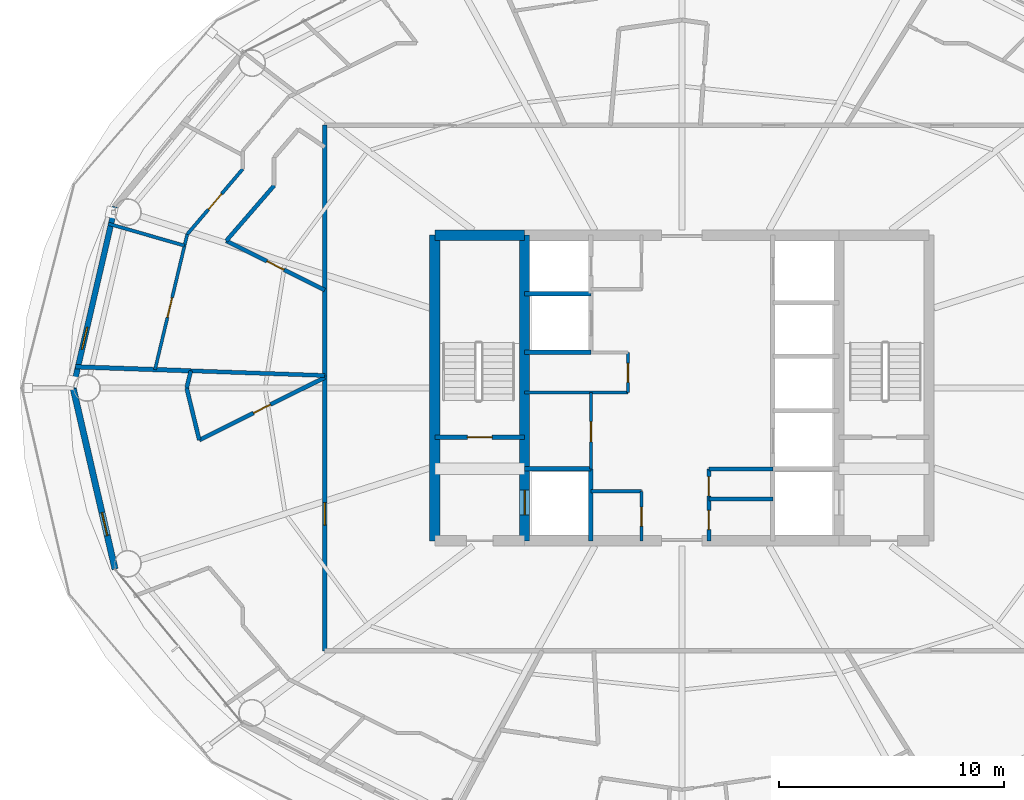
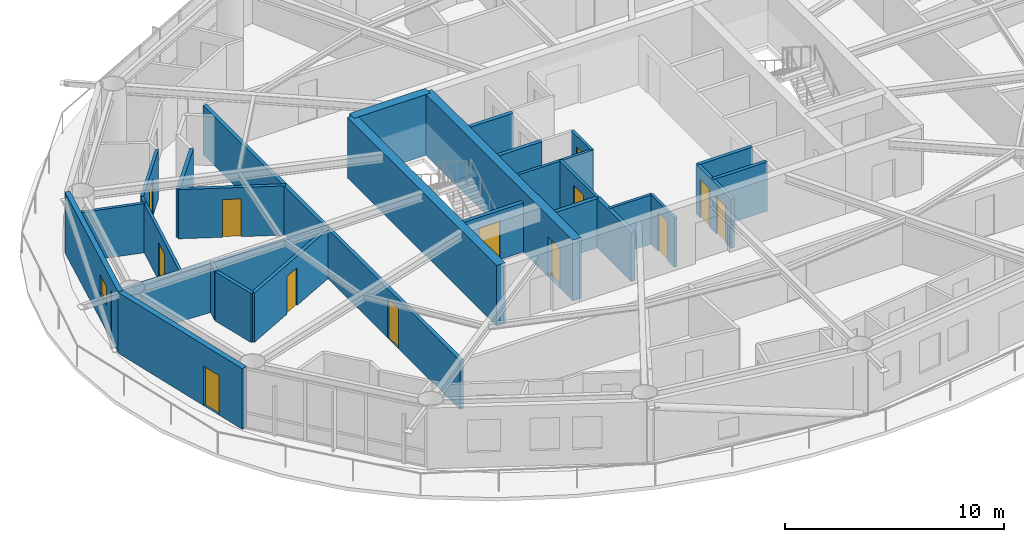
# One storey, part 20 of 27: 30 walls, 13 doors, 1 window, 14 openings.
"""IFC4 building model written with IfcOpenShell, lengths in metres."""

import ifcopenshell
import ifcopenshell.guid

model = None  # the IFC model being written
_history = None  # IfcOwnerHistory: only IFC2X3 demands one
_inside = {}  # id of a spatial element -> (the spatial element, [elements in it])
_under = {}  # id of a project, library or spatial element -> (it, [spatial elements below it])
_declared = {}  # id of a project -> (the project, [libraries it declares])
_typed = {}  # id of a type object -> (the type object, [elements of that type])
_made_of = {}  # id of a material, layer set ... -> (it, [elements and type objects made of it])


def new_model(schema):
    """Start an empty IFC model of exactly this schema.

    Asked for "IFC4X3", IfcOpenShell would pick the latest addendum, in which some entities
    have other attributes; the version numbers below select the first issue.
    IFC2X3 requires an IfcOwnerHistory on every rooted entity: one is made here for all.
    """
    global model, _history
    if schema == "IFC4X3":
        model = ifcopenshell.file(schema_version=(4, 3, 0, 0))
    else:
        model = ifcopenshell.file(schema=schema)
    _inside.clear()
    _under.clear()
    _declared.clear()
    _typed.clear()
    _made_of.clear()
    _history = None
    if model.schema == "IFC2X3":
        org = make("IfcOrganization", Name="unknown")
        user = make(
            "IfcPersonAndOrganization",
            ThePerson=make("IfcPerson", FamilyName="unknown"),
            TheOrganization=org,
        )
        app = make(
            "IfcApplication",
            ApplicationDeveloper=org,
            Version="unknown",
            ApplicationFullName="unknown",
            ApplicationIdentifier="unknown",
        )
        _history = make(
            "IfcOwnerHistory",
            OwningUser=user,
            OwningApplication=app,
            ChangeAction="ADDED",
            CreationDate=0,
        )
    return model


def make(cls, **values):
    """One entity of the class cls with the attributes given. An attribute that is None is left unset."""
    return model.create_entity(
        cls, **{name: value for name, value in values.items() if value is not None}
    )


def rooted(cls, **values):
    """An entity with a GlobalId (a new one), such as an element, a storey or a relation."""
    return make(cls, GlobalId=ifcopenshell.guid.new(), OwnerHistory=_history, **values)


def si_unit(unit_type, name, prefix=None):
    """IfcSIUnit, for example si_unit("LENGTHUNIT", "METRE", prefix="MILLI")."""
    return make("IfcSIUnit", UnitType=unit_type, Prefix=prefix, Name=name)


def assignment(units):
    """IfcUnitAssignment: the units of a project."""
    return None if units is None else make("IfcUnitAssignment", Units=units)


def point(xyz):
    """IfcCartesianPoint."""
    return None if xyz is None else make("IfcCartesianPoint", Coordinates=xyz)


def direction(xyz):
    """IfcDirection."""
    return None if xyz is None else make("IfcDirection", DirectionRatios=xyz)


def frame(location, z_axis=None, x_axis=None):
    """IfcAxis2Placement3D, a coordinate frame: its origin and axes. An axis left out is left unset."""
    return make(
        "IfcAxis2Placement3D",
        Location=point(location),
        Axis=direction(z_axis),
        RefDirection=direction(x_axis),
    )


def frame_2d(location, x_axis=None):
    """IfcAxis2Placement2D, a coordinate frame in the plane: its origin and x axis."""
    return make(
        "IfcAxis2Placement2D", Location=point(location), RefDirection=direction(x_axis)
    )


def origin():
    """The frame at (0, 0, 0) with its axes left unset."""
    return frame((0.0, 0.0, 0.0))


def place(relative_to, where):
    """IfcLocalPlacement: puts the frame where relative to a parent placement (None: the world)."""
    return make(
        "IfcLocalPlacement", PlacementRelTo=relative_to, RelativePlacement=where
    )


def context(
    kind, dimensions, precision=None, world=None, true_north=None, identifier=None
):
    """IfcGeometricRepresentationContext, for example the 3D "Model" context."""
    return make(
        "IfcGeometricRepresentationContext",
        ContextIdentifier=identifier,
        ContextType=kind,
        CoordinateSpaceDimension=dimensions,
        Precision=precision,
        WorldCoordinateSystem=world,
        TrueNorth=true_north,
    )


def subcontext(parent, identifier, kind, view, scale=None):
    """IfcGeometricRepresentationSubContext, for example "Body" below "Model"."""
    return make(
        "IfcGeometricRepresentationSubContext",
        ContextIdentifier=identifier,
        ContextType=kind,
        ParentContext=parent,
        TargetScale=scale,
        TargetView=view,
    )


def project(units=None, contexts=None):
    """IfcProject with its units and contexts."""
    return rooted(
        "IfcProject",
        Name="project",
        RepresentationContexts=contexts,
        UnitsInContext=assignment(units),
    )


def spatial(cls, under=None, at=None, **own):
    """A site, building, storey or space (cls), placed at a placement, below another one or the project."""
    s = rooted(cls, ObjectPlacement=at, **own)
    if under is not None:
        _under.setdefault(under.id(), (under, []))[1].append(s)
    return s


def profile(cls, at=None, kind="AREA", **sizes):
    """A parametric profile (cls). Its sizes go by their IFC names, for example OverallWidth=200.0."""
    return make(cls, ProfileType=kind, Position=at, **sizes)


def rectangle(**sizes):
    """IfcRectangleProfileDef."""
    return profile("IfcRectangleProfileDef", **sizes)


def extrude(swept, where, along, depth):
    """IfcExtrudedAreaSolid: the profile swept, set in the frame where, extruded along a direction by depth."""
    return make(
        "IfcExtrudedAreaSolid",
        SweptArea=swept,
        Position=where,
        ExtrudedDirection=direction(along),
        Depth=depth,
    )


def shape(context_of_items, identifier, shape_type, items):
    """IfcShapeRepresentation: the items that make up one representation, for example the "Body"."""
    return make(
        "IfcShapeRepresentation",
        ContextOfItems=context_of_items,
        RepresentationIdentifier=identifier,
        RepresentationType=shape_type,
        Items=items,
    )


def material(Name=None, Category=None):
    """IfcMaterial."""
    return make("IfcMaterial", Name=Name, Category=Category)


def layer(
    of_material, thickness, ventilated=None, Name=None, Category=None, Priority=None
):
    """IfcMaterialLayer: one layer of a wall or slab, of a material (None: an air gap)."""
    return make(
        "IfcMaterialLayer",
        Material=of_material,
        LayerThickness=thickness,
        IsVentilated=ventilated,
        Name=Name,
        Category=Category,
        Priority=Priority,
    )


def layer_set(layers, Name=None):
    """IfcMaterialLayerSet."""
    return make("IfcMaterialLayerSet", MaterialLayers=layers, LayerSetName=Name)


def made_of(thing, what):
    """Note that an element or type object is made of a material, layer set ...; save() writes the relation."""
    if what is not None:
        _made_of.setdefault(what.id(), (what, []))[1].append(thing)
    return thing


def type_object(cls, material=None, **own):
    """A type object (cls), such as IfcWallType, which elements share."""
    return made_of(rooted(cls, **own), material)


def element(
    cls,
    number,
    at=None,
    inside=None,
    cuts=None,
    type_object=None,
    material=None,
    context=None,
    identifier="Body",
    shape_type=None,
    held_by="IfcProductDefinitionShape",
    body=None,
    shapes=None,
    **own,
):
    """One element of the class cls, such as IfcWall. Its Tag is "e" and its number.

    at: its placement. inside: the storey or other place that contains it. cuts: it is an
    opening in that element (IfcRelVoidsElement). A single representation is given by context,
    identifier, shape_type and body (its items); several are given by shapes. held_by: the class
    of the entity that holds the representations. save() writes the other relations.
    """
    e = rooted(cls, Tag="e%d" % number, ObjectPlacement=at, **own)
    if body is not None:
        shapes = [shape(context, identifier, shape_type, body)]
    if shapes is not None:
        e.Representation = make(held_by, Representations=shapes)
    if inside is not None:
        _inside.setdefault(inside.id(), (inside, []))[1].append(e)
    if cuts is not None:
        rooted(
            "IfcRelVoidsElement", RelatingBuildingElement=cuts, RelatedOpeningElement=e
        )
    if type_object is not None:
        _typed.setdefault(type_object.id(), (type_object, []))[1].append(e)
    return made_of(e, material)


def fill(opening, filler):
    """IfcRelFillsElement: the door or window that sits in an opening."""
    return rooted(
        "IfcRelFillsElement",
        RelatingOpeningElement=opening,
        RelatedBuildingElement=filler,
    )


def aggregate(whole, parts):
    """IfcRelAggregates: a whole, such as a stair, and the parts it consists of."""
    return rooted("IfcRelAggregates", RelatingObject=whole, RelatedObjects=parts)


def save(model, path):
    """Write the relations noted so far, then the file.

    IfcRelAggregates (storeys below a building ...), IfcRelContainedInSpatialStructure (elements
    in a storey), IfcRelDefinesByType, IfcRelAssociatesMaterial and IfcRelDeclares: one each for
    every whole, place, type object, material and project.
    """
    for whole, parts in _under.values():
        aggregate(whole, parts)
    for where, things in _inside.values():
        rooted(
            "IfcRelContainedInSpatialStructure",
            RelatedElements=things,
            RelatingStructure=where,
        )
    for kind, things in _typed.values():
        rooted("IfcRelDefinesByType", RelatedObjects=things, RelatingType=kind)
    for what, things in _made_of.values():
        rooted("IfcRelAssociatesMaterial", RelatedObjects=things, RelatingMaterial=what)
    for by, libraries in _declared.values():
        rooted("IfcRelDeclares", RelatingContext=by, RelatedDefinitions=libraries)
    model.write(path)


model = new_model("IFC4")

# Units and contexts
model_context = context("Model", 3, precision=1e-05, world=origin(), true_north=direction((0.0, 1.0)))
body_context = subcontext(model_context, "Body", "Model", "MODEL_VIEW")
ifc_project = project(units=[si_unit("LENGTHUNIT", "METRE"), si_unit("AREAUNIT", "SQUARE_METRE"), si_unit("VOLUMEUNIT", "CUBIC_METRE"), si_unit("PLANEANGLEUNIT", "RADIAN"), si_unit("MASSUNIT", "GRAM", prefix="KILO")], contexts=[model_context])

# Site, building, storey
site_placement = place(None, origin())
site = spatial("IfcSite", under=ifc_project, at=site_placement, CompositionType="ELEMENT")
building_placement = place(site_placement, origin())
building = spatial("IfcBuilding", under=site, at=building_placement, Name="Sarneth Arch Tower", CompositionType="ELEMENT")
storey_placement = place(building_placement, frame((0.0, 0.0, 193.800048828125)))
storey = spatial("IfcBuildingStorey", under=building, at=storey_placement, Name="L49", CompositionType="ELEMENT", Elevation=193.800048828125)

# Walls
ifc_material_1 = material(Name="Concrete C50/60", Category="concrete")
ifc_layer_1 = layer(ifc_material_1, 0.449951171875)
ifc_layer_set_1 = layer_set([ifc_layer_1], Name="Concrete C50/60")
wall_type_1 = type_object("IfcWallType", Name="WALL-CORE-450", PredefinedType="SHEAR", material=ifc_layer_set_1)
wall_1_placement = place(storey_placement, frame((37.0, 48.800048828125, 0.0), z_axis=(0.0, 0.0, 1.0), x_axis=(1.0, 0.0, 0.0)))
element("IfcWall", 1, at=wall_1_placement, inside=storey, type_object=wall_type_1, Name="L49 Core shear wall N-W", PredefinedType="SHEAR", context=body_context, shape_type="SweptSolid", body=[
    extrude(rectangle(XDim=4.0, YDim=0.449951171875, at=frame_2d((2.0, 0.0))), origin(), (0.0, 0.0, 1.0), 3.3798828125),
])
wall_2_placement = place(storey_placement, frame((37.0, 35.199951171875, 0.0), z_axis=(0.0, 0.0, 1.0), x_axis=(0.0, 1.0, 0.0)))
element("IfcWall", 2, at=wall_2_placement, inside=storey, type_object=wall_type_1, Name="L49 Core shear wall W", PredefinedType="SHEAR", context=body_context, shape_type="SweptSolid", body=[
    extrude(rectangle(XDim=13.60009765625, YDim=0.449951171875, at=frame_2d((6.800048828125, 0.0))), origin(), (0.0, 0.0, 1.0), 3.3798828125),
])

# Wall, opening, door
wall_3_placement = place(storey_placement, frame((41.0, 35.199951171875, 0.0), z_axis=(0.0, 0.0, 1.0), x_axis=(0.0, 1.0, 0.0)))
wall_3 = element("IfcWall", 3, at=wall_3_placement, inside=storey, type_object=wall_type_1, Name="L49 Core shear wall WEB-W", PredefinedType="SHEAR", context=body_context, shape_type="SweptSolid", body=[
    extrude(rectangle(XDim=13.60009765625, YDim=0.449951171875, at=frame_2d((6.800048828125, 0.0))), origin(), (0.0, 0.0, 1.0), 3.3798828125),
])
opening_1_placement = place(wall_3_placement, frame((1.14990234375, 0.0, 0.0)))
opening_1 = element("IfcOpeningElement", 4, at=opening_1_placement, cuts=wall_3, Name="Opening LD-1", PredefinedType="OPENING", context=body_context, shape_type="SweptSolid", body=[
    extrude(rectangle(XDim=1.10009765625, YDim=2.199951171875, at=frame_2d((0.550048828125, 1.10009765625))), frame((0.0, 0.23486328125, 0.0), z_axis=(0.0, -1.0, 0.0), x_axis=(1.0, 0.0, 0.0)), (0.0, 0.0, 1.0), 0.469970703125),
])
ifc_material_2 = material(Name="Brushed Stainless Steel 304 lift landing door", Category="steel")
door_type_1 = type_object("IfcDoorType", Name="DR-LIFT-SLIDE-1100", OperationType="SLIDING_TO_LEFT", PredefinedType="DOOR", material=ifc_material_2)
door_1_placement = place(opening_1_placement, origin())
door_1 = element("IfcDoor", 5, at=door_1_placement, inside=storey, type_object=door_type_1, Name="L49 Firefighting lift landing door FL-1", OperationType="SLIDING_TO_LEFT", OverallHeight=2.199951171875, OverallWidth=1.10009765625, PredefinedType="DOOR", context=body_context, shape_type="SweptSolid", body=[
    extrude(rectangle(XDim=1.10009765625, YDim=2.199951171875, at=frame_2d((0.550048828125, 1.10009765625))), frame((0.0, 0.02490234375, 0.0), z_axis=(0.0, -1.0, 0.0), x_axis=(1.0, 0.0, 0.0)), (0.0, 0.0, 1.0), 0.050048828125),
])
fill(opening_1, door_1)

ifc_material_3 = material(Name="Double steel-stud corridor fire wall", Category="steel")
ifc_layer_2 = layer(ifc_material_3, 0.18994140625)
ifc_layer_set_2 = layer_set([ifc_layer_2], Name="Double steel-stud corridor fire wall")
wall_type_2 = type_object("IfcWallType", Name="WALL-CORR-190", PredefinedType="PARTITIONING", material=ifc_layer_set_2)
wall_4_placement = place(storey_placement, frame((32.10009765625, 30.300048828125, 0.0), z_axis=(0.0, 0.0, 1.0), x_axis=(0.0, 1.0, 0.0)))
wall_4 = element("IfcWall", 6, at=wall_4_placement, inside=storey, type_object=wall_type_2, Name="L49 Interior partition W-L49-TP-012", PredefinedType="PARTITIONING", context=body_context, shape_type="SweptSolid", body=[
    extrude(rectangle(XDim=12.287109375, YDim=0.18994140625, at=frame_2d((6.1435546875, 0.0))), origin(), (0.0, 0.0, 1.0), 2.739990234375),
])
opening_2_placement = place(wall_4_placement, frame((5.6005859375, 0.0, 0.0)))
opening_2 = element("IfcOpeningElement", 7, at=opening_2_placement, cuts=wall_4, Name="Opening FD-08", PredefinedType="OPENING", context=body_context, shape_type="SweptSolid", body=[
    extrude(rectangle(XDim=1.0, YDim=2.199951171875, at=frame_2d((0.5, 1.10009765625))), frame((0.0, 0.10498046875, 0.0), z_axis=(0.0, -1.0, 0.0), x_axis=(1.0, 0.0, 0.0)), (0.0, 0.0, 1.0), 0.2099609375),
])
ifc_material_4 = material(Name="Hardwood timber acoustic fire door", Category="wood")
door_type_2 = type_object("IfcDoorType", Name="DR-FD60-1000", OperationType="SINGLE_SWING_LEFT", PredefinedType="DOOR", material=ifc_material_4)
door_2_placement = place(opening_2_placement, origin())
door_2 = element("IfcDoor", 8, at=door_2_placement, inside=storey, type_object=door_type_2, Name="L49 Interior door DR-L49-U4-ENT", OperationType="SINGLE_SWING_LEFT", OverallHeight=2.199951171875, OverallWidth=1.0, PredefinedType="DOOR", context=body_context, shape_type="SweptSolid", body=[
    extrude(rectangle(XDim=1.0, YDim=2.199951171875, at=frame_2d((0.5, 1.10009765625))), frame((0.0, 0.02490234375, 0.0), z_axis=(0.0, -1.0, 0.0), x_axis=(1.0, 0.0, 0.0)), (0.0, 0.0, 1.0), 0.050048828125),
])
fill(opening_2, door_2)

# Wall
wall_5_placement = place(storey_placement, frame((32.10009765625, 42.523193359375, 0.0), z_axis=(0.0, 0.0, 1.0), x_axis=(0.0, 1.0, 0.0)))
element("IfcWall", 9, at=wall_5_placement, inside=storey, type_object=wall_type_2, Name="L49 Interior partition W-L49-TP-010", PredefinedType="PARTITIONING", context=body_context, shape_type="SweptSolid", body=[
    extrude(rectangle(XDim=11.1767578125, YDim=0.18994140625, at=frame_2d((5.58837890625, 0.0))), origin(), (0.0, 0.0, 1.0), 2.739990234375),
])

# Wall, opening, window
ifc_material_5 = material(Name="Extruded terracotta rainscreen on Concrete C40/50 backing", Category="masonry")
ifc_layer_3 = layer(ifc_material_5, 0.25)
ifc_layer_set_3 = layer_set([ifc_layer_3], Name="Extruded terracotta rainscreen on Concrete C40/50 backing")
wall_type_3 = type_object("IfcWallType", Name="WALL-EXT-SPAND-250", PredefinedType="SOLIDWALL", material=ifc_layer_set_3)
wall_6_placement = place(storey_placement, frame((22.767578125, 50.06689453125, 0.0), z_axis=(0.0, 0.0, 1.0), x_axis=(-0.225473184558, -0.974249374157, 0.0)))
wall_6 = element("IfcWall", 10, at=wall_6_placement, inside=storey, type_object=wall_type_3, Name="L49 Terracotta perimeter wall 08", PredefinedType="SOLIDWALL", context=body_context, shape_type="SweptSolid", body=[
    extrude(rectangle(XDim=8.280029296875, YDim=0.25, at=frame_2d((4.14013671875, 0.0))), origin(), (0.0, 0.0, 1.0), 3.3798828125),
])
opening_3_placement = place(wall_6_placement, frame((5.505859375, 0.0, 1.419921875)))
opening_3 = element("IfcOpeningElement", 11, at=opening_3_placement, cuts=wall_6, Name="Opening W-14", PredefinedType="OPENING", context=body_context, shape_type="SweptSolid", body=[
    extrude(rectangle(XDim=1.0, YDim=1.050048828125, at=frame_2d((0.5, 0.52490234375))), frame((0.0, 0.135009765625, 0.0), z_axis=(0.0, -1.0, 0.0), x_axis=(1.0, 0.0, 0.0)), (0.0, 0.0, 1.0), 0.27001953125),
])
ifc_material_6 = material(Name="Thermally broken Aluminium 6063-T6 and low-e laminated IGU", Category="aluminium")
window_type = type_object("IfcWindowType", Name="WIN-TWR-1000x1050", PartitioningType="SINGLE_PANEL", PredefinedType="WINDOW", material=ifc_material_6)
window_placement = place(opening_3_placement, origin())
window = element("IfcWindow", 12, at=window_placement, inside=storey, type_object=window_type, Name="L49 Dwelling bedroom window 02", OverallHeight=1.050048828125, OverallWidth=1.0, PartitioningType="SINGLE_PANEL", PredefinedType="WINDOW", context=body_context, shape_type="SweptSolid", body=[
    extrude(rectangle(XDim=1.0, YDim=1.050048828125, at=frame_2d((0.5, 0.52490234375))), frame((0.0, 0.030029296875, 0.0), z_axis=(0.0, -1.0, 0.0), x_axis=(1.0, 0.0, 0.0)), (0.0, 0.0, 1.0), 0.06005859375),
])
fill(opening_3, window)

# Wall, opening, door
ifc_material_7 = material(Name="Extruded terracotta rainscreen on Concrete C40/50 backing", Category="masonry")
ifc_layer_4 = layer(ifc_material_7, 0.280029296875)
ifc_layer_set_4 = layer_set([ifc_layer_4], Name="Extruded terracotta rainscreen on Concrete C40/50 backing")
wall_type_4 = type_object("IfcWallType", Name="WALL-EXT-TERRA-280", PredefinedType="SOLIDWALL", material=ifc_layer_set_4)
wall_7_placement = place(storey_placement, frame((20.900634765625, 42.0, 0.0), z_axis=(0.0, 0.0, 1.0), x_axis=(0.225473184558, -0.974249374157, 0.0)))
wall_7 = element("IfcWall", 13, at=wall_7_placement, inside=storey, type_object=wall_type_4, Name="L49 Terracotta perimeter wall 09", PredefinedType="SOLIDWALL", context=body_context, shape_type="SweptSolid", body=[
    extrude(rectangle(XDim=8.280029296875, YDim=0.280029296875, at=frame_2d((4.14013671875, 0.0))), origin(), (0.0, 0.0, 1.0), 3.3798828125),
])
opening_4_placement = place(wall_7_placement, frame((5.69384765625, 0.0, 0.0)))
opening_4 = element("IfcOpeningElement", 14, at=opening_4_placement, cuts=wall_7, Name="Opening BD-4", PredefinedType="OPENING", context=body_context, shape_type="SweptSolid", body=[
    extrude(rectangle(XDim=1.050048828125, YDim=2.199951171875, at=frame_2d((0.52490234375, 1.10009765625))), frame((0.0, 0.14990234375, 0.0), z_axis=(0.0, -1.0, 0.0), x_axis=(1.0, 0.0, 0.0)), (0.0, 0.0, 1.0), 0.300048828125),
])
ifc_material_8 = material(Name="Thermally broken Aluminium 6063-T6 and laminated safety glass", Category="aluminium")
door_type_3 = type_object("IfcDoorType", Name="DR-BALC-GLZ-1050", OperationType="SINGLE_SWING_RIGHT", PredefinedType="DOOR", material=ifc_material_8)
door_3_placement = place(opening_4_placement, origin())
door_3 = element("IfcDoor", 15, at=door_3_placement, inside=storey, type_object=door_type_3, Name="L49 Balcony glazed door 09", OperationType="SINGLE_SWING_RIGHT", OverallHeight=2.199951171875, OverallWidth=1.050048828125, PredefinedType="DOOR", context=body_context, shape_type="SweptSolid", body=[
    extrude(rectangle(XDim=1.050048828125, YDim=2.199951171875, at=frame_2d((0.52490234375, 1.10009765625))), frame((0.0, 0.02490234375, 0.0), z_axis=(0.0, -1.0, 0.0), x_axis=(1.0, 0.0, 0.0)), (0.0, 0.0, 1.0), 0.050048828125),
])
fill(opening_4, door_3)

ifc_material_9 = material(Name="Apartment internal stud partition", Category="gypsum")
ifc_layer_5 = layer(ifc_material_9, 0.139892578125)
ifc_layer_set_5 = layer_set([ifc_layer_5], Name="Apartment internal stud partition")
wall_type_5 = type_object("IfcWallType", Name="WALL-PART-140", PredefinedType="PARTITIONING", material=ifc_layer_set_5)
wall_8_placement = place(storey_placement, frame((25.980712890625, 48.84228515625, 0.0), z_axis=(0.0, 0.0, 1.0), x_axis=(-0.231656065658, -0.972797752487, 0.0)))
wall_8 = element("IfcWall", 16, at=wall_8_placement, inside=storey, type_object=wall_type_5, Name="L49 Interior partition W-L49-TP-068", PredefinedType="PARTITIONING", context=body_context, shape_type="SweptSolid", body=[
    extrude(rectangle(XDim=6.191650390625, YDim=0.139892578125, at=frame_2d((3.095703125, 0.0))), origin(), (0.0, 0.0, 1.0), 2.739990234375),
])
opening_5_placement = place(wall_8_placement, frame((2.9052734375, 0.0, 0.0)))
opening_5 = element("IfcOpeningElement", 17, at=opening_5_placement, cuts=wall_8, Name="Opening ID-01", PredefinedType="OPENING", context=body_context, shape_type="SweptSolid", body=[
    extrude(rectangle(XDim=0.89990234375, YDim=2.10009765625, at=frame_2d((0.449951171875, 1.050048828125))), frame((0.0, 0.079833984375, 0.0), z_axis=(0.0, -1.0, 0.0), x_axis=(1.0, 0.0, 0.0)), (0.0, 0.0, 1.0), 0.159912109375),
])
ifc_material_10 = material(Name="Engineered hardwood flush door", Category="wood")
door_type_4 = type_object("IfcDoorType", Name="DR-INT-900", OperationType="SINGLE_SWING_LEFT", PredefinedType="DOOR", material=ifc_material_10)
door_4_placement = place(opening_5_placement, origin())
door_4 = element("IfcDoor", 18, at=door_4_placement, inside=storey, type_object=door_type_4, Name="L49 Interior door DR-L49-U3-BED3", OperationType="SINGLE_SWING_RIGHT", OverallHeight=2.10009765625, OverallWidth=0.89990234375, PredefinedType="DOOR", context=body_context, shape_type="SweptSolid", body=[
    extrude(rectangle(XDim=0.89990234375, YDim=2.10009765625, at=frame_2d((0.449951171875, 1.050048828125))), frame((0.0, 0.02490234375, 0.0), z_axis=(0.0, -1.0, 0.0), x_axis=(1.0, 0.0, 0.0)), (0.0, 0.0, 1.0), 0.050048828125),
])
fill(opening_5, door_4)

ifc_material_11 = material(Name="Acoustic gypsum stud partition", Category="gypsum")
ifc_layer_6 = layer(ifc_material_11, 0.14990234375)
ifc_layer_set_6 = layer_set([ifc_layer_6], Name="Acoustic gypsum stud partition")
wall_type_6 = type_object("IfcWallType", Name="WALL-PART-150", PredefinedType="PARTITIONING", material=ifc_layer_set_6)
wall_9_placement = place(storey_placement, frame((43.949951171875, 38.39990234375, 0.0), z_axis=(0.0, 0.0, 1.0), x_axis=(0.0, 1.0, 0.0)))
wall_9 = element("IfcWall", 19, at=wall_9_placement, inside=storey, type_object=wall_type_6, Name="L49 Interior partition W-L49-RECPL-E1", PredefinedType="PARTITIONING", context=body_context, shape_type="SweptSolid", body=[
    extrude(rectangle(XDim=3.400146484375, YDim=0.14990234375, at=frame_2d((1.7001953125, 0.0))), origin(), (0.0, 0.0, 1.0), 2.739990234375),
])
opening_6_placement = place(wall_9_placement, frame((1.199951171875, 0.0, 0.0)))
opening_6 = element("IfcOpeningElement", 20, at=opening_6_placement, cuts=wall_9, Name="Opening FD-10", PredefinedType="OPENING", context=body_context, shape_type="SweptSolid", body=[
    extrude(rectangle(XDim=0.89990234375, YDim=2.14990234375, at=frame_2d((0.449951171875, 1.074951171875))), frame((0.0, 0.0849609375, 0.0), z_axis=(0.0, -1.0, 0.0), x_axis=(1.0, 0.0, 0.0)), (0.0, 0.0, 1.0), 0.169921875),
])
ifc_material_12 = material(Name="Galvanised Steel S275 riser/service fire door", Category="steel")
door_type_5 = type_object("IfcDoorType", Name="DR-FD60-900", OperationType="SINGLE_SWING_LEFT", PredefinedType="DOOR", material=ifc_material_12)
door_5_placement = place(opening_6_placement, origin())
door_5 = element("IfcDoor", 21, at=door_5_placement, inside=storey, type_object=door_type_5, Name="L49 Interior door DR-L49-RECPL1", OperationType="SINGLE_SWING_LEFT", OverallHeight=2.14990234375, OverallWidth=0.89990234375, PredefinedType="DOOR", context=body_context, shape_type="SweptSolid", body=[
    extrude(rectangle(XDim=0.89990234375, YDim=2.14990234375, at=frame_2d((0.449951171875, 1.074951171875))), frame((0.0, 0.02490234375, 0.0), z_axis=(0.0, -1.0, 0.0), x_axis=(1.0, 0.0, 0.0)), (0.0, 0.0, 1.0), 0.050048828125),
])
fill(opening_6, door_5)

# Wall
wall_10_placement = place(storey_placement, frame((41.0, 41.800048828125, 0.0), z_axis=(0.0, 0.0, 1.0), x_axis=(1.0, 0.0, 0.0)))
element("IfcWall", 22, at=wall_10_placement, inside=storey, type_object=wall_type_6, Name="L49 Interior partition W-L49-RECPL-S2", PredefinedType="PARTITIONING", context=body_context, shape_type="SweptSolid", body=[
    extrude(rectangle(XDim=4.60009765625, YDim=0.14990234375, at=frame_2d((2.300048828125, 0.0))), origin(), (0.0, 0.0, 1.0), 2.739990234375),
])

# Wall, opening, door
wall_11_placement = place(storey_placement, frame((45.60009765625, 41.800048828125, 0.0), z_axis=(0.0, 0.0, 1.0), x_axis=(0.0, 1.0, 0.0)))
wall_11 = element("IfcWall", 23, at=wall_11_placement, inside=storey, type_object=wall_type_6, Name="L49 Interior partition W-L49-RECPL-E2", PredefinedType="PARTITIONING", context=body_context, shape_type="SweptSolid", body=[
    extrude(rectangle(XDim=1.780029296875, YDim=0.14990234375, at=frame_2d((0.89013671875, 0.0))), origin(), (0.0, 0.0, 1.0), 2.739990234375),
])
opening_7_placement = place(wall_11_placement, frame((0.449951171875, 0.0, 0.0)))
opening_7 = element("IfcOpeningElement", 24, at=opening_7_placement, cuts=wall_11, Name="Opening FD-11", PredefinedType="OPENING", context=body_context, shape_type="SweptSolid", body=[
    extrude(rectangle(XDim=0.85009765625, YDim=2.14990234375, at=frame_2d((0.425048828125, 1.074951171875))), frame((0.0, 0.0849609375, 0.0), z_axis=(0.0, -1.0, 0.0), x_axis=(1.0, 0.0, 0.0)), (0.0, 0.0, 1.0), 0.169921875),
])
ifc_material_13 = material(Name="Galvanised Steel S275 closet fire door", Category="steel")
door_type_6 = type_object("IfcDoorType", Name="DR-FD60-850", OperationType="SINGLE_SWING_LEFT", PredefinedType="DOOR", material=ifc_material_13)
door_6_placement = place(opening_7_placement, origin())
door_6 = element("IfcDoor", 25, at=door_6_placement, inside=storey, type_object=door_type_6, Name="L49 Interior door DR-L49-RECPL2", OperationType="SINGLE_SWING_RIGHT", OverallHeight=2.14990234375, OverallWidth=0.85009765625, PredefinedType="DOOR", context=body_context, shape_type="SweptSolid", body=[
    extrude(rectangle(XDim=0.85009765625, YDim=2.14990234375, at=frame_2d((0.425048828125, 1.074951171875))), frame((0.0, 0.02490234375, 0.0), z_axis=(0.0, -1.0, 0.0), x_axis=(1.0, 0.0, 0.0)), (0.0, 0.0, 1.0), 0.050048828125),
])
fill(opening_7, door_6)

# Wall
wall_12_placement = place(storey_placement, frame((43.949951171875, 37.39990234375, 0.0), z_axis=(0.0, 0.0, 1.0), x_axis=(1.0, 0.0, 0.0)))
element("IfcWall", 26, at=wall_12_placement, inside=storey, type_object=wall_type_6, Name="L49 Interior partition W-L49-CSUP1-N", PredefinedType="PARTITIONING", context=body_context, shape_type="SweptSolid", body=[
    extrude(rectangle(XDim=2.25, YDim=0.14990234375, at=frame_2d((1.125, 0.0))), origin(), (0.0, 0.0, 1.0), 2.739990234375),
])

# Wall, opening, door
wall_13_placement = place(storey_placement, frame((46.199951171875, 35.199951171875, 0.0), z_axis=(0.0, 0.0, 1.0), x_axis=(0.0, 1.0, 0.0)))
wall_13 = element("IfcWall", 27, at=wall_13_placement, inside=storey, type_object=wall_type_6, Name="L49 Interior partition W-L49-CSUP1-E", PredefinedType="PARTITIONING", context=body_context, shape_type="SweptSolid", body=[
    extrude(rectangle(XDim=2.199951171875, YDim=0.14990234375, at=frame_2d((1.10009765625, 0.0))), origin(), (0.0, 0.0, 1.0), 2.739990234375),
])
opening_8_placement = place(wall_13_placement, frame((0.64990234375, 0.0, 0.0)))
opening_8 = element("IfcOpeningElement", 28, at=opening_8_placement, cuts=wall_13, Name="Opening FD-11", PredefinedType="OPENING", context=body_context, shape_type="SweptSolid", body=[
    extrude(rectangle(XDim=0.85009765625, YDim=2.14990234375, at=frame_2d((0.425048828125, 1.074951171875))), frame((0.0, 0.0849609375, 0.0), z_axis=(0.0, -1.0, 0.0), x_axis=(1.0, 0.0, 0.0)), (0.0, 0.0, 1.0), 0.169921875),
])
door_7_placement = place(opening_8_placement, origin())
door_7 = element("IfcDoor", 29, at=door_7_placement, inside=storey, type_object=door_type_6, Name="L49 Interior door DR-L49-CSUP1", OperationType="SINGLE_SWING_LEFT", OverallHeight=2.14990234375, OverallWidth=0.85009765625, PredefinedType="DOOR", context=body_context, shape_type="SweptSolid", body=[
    extrude(rectangle(XDim=0.85009765625, YDim=2.14990234375, at=frame_2d((0.425048828125, 1.074951171875))), frame((0.0, 0.02490234375, 0.0), z_axis=(0.0, -1.0, 0.0), x_axis=(1.0, 0.0, 0.0)), (0.0, 0.0, 1.0), 0.050048828125),
])
fill(opening_8, door_7)

wall_14_placement = place(storey_placement, frame((25.980712890625, 48.84228515625, 0.0), z_axis=(0.0, 0.0, 1.0), x_axis=(0.648022171798, 0.761621470849, 0.0)))
wall_14 = element("IfcWall", 30, at=wall_14_placement, inside=storey, type_object=wall_type_6, Name="L49 Interior partition W-L49-TP-066", PredefinedType="PARTITIONING", context=body_context, shape_type="SweptSolid", body=[
    extrude(rectangle(XDim=3.810302734375, YDim=0.14990234375, at=frame_2d((1.9052734375, 0.0))), origin(), (0.0, 0.0, 1.0), 2.739990234375),
])
opening_9_placement = place(wall_14_placement, frame((1.455078125, 0.0, 0.0)))
opening_9 = element("IfcOpeningElement", 31, at=opening_9_placement, cuts=wall_14, Name="Opening ID-01", PredefinedType="OPENING", context=body_context, shape_type="SweptSolid", body=[
    extrude(rectangle(XDim=0.89990234375, YDim=2.10009765625, at=frame_2d((0.449951171875, 1.050048828125))), frame((0.0, 0.0849609375, 0.0), z_axis=(0.0, -1.0, 0.0), x_axis=(1.0, 0.0, 0.0)), (0.0, 0.0, 1.0), 0.169921875),
])
door_8_placement = place(opening_9_placement, origin())
door_8 = element("IfcDoor", 32, at=door_8_placement, inside=storey, type_object=door_type_4, Name="L49 Interior door DR-L49-U3-BED2", OperationType="SINGLE_SWING_LEFT", OverallHeight=2.10009765625, OverallWidth=0.89990234375, PredefinedType="DOOR", context=body_context, shape_type="SweptSolid", body=[
    extrude(rectangle(XDim=0.89990234375, YDim=2.10009765625, at=frame_2d((0.449951171875, 1.050048828125))), frame((0.0, 0.02490234375, 0.0), z_axis=(0.0, -1.0, 0.0), x_axis=(1.0, 0.0, 0.0)), (0.0, 0.0, 1.0), 0.050048828125),
])
fill(opening_9, door_8)

# Walls
wall_15_placement = place(storey_placement, frame((22.468994140625, 49.30859375, 0.0), z_axis=(0.0, 0.0, 1.0), x_axis=(0.961393254498, -0.275178142674, 0.0)))
element("IfcWall", 33, at=wall_15_placement, inside=storey, type_object=wall_type_6, Name="L49 Interior partition W-L49-TP-074", PredefinedType="PARTITIONING", context=body_context, shape_type="SweptSolid", body=[
    extrude(rectangle(XDim=3.527587890625, YDim=0.14990234375, at=frame_2d((1.763671875, 0.0))), origin(), (0.0, 0.0, 1.0), 2.739990234375),
])
ifc_material_14 = material(Name="Moisture-resistant plumbing chase wall", Category="gypsum")
ifc_layer_7 = layer(ifc_material_14, 0.179931640625)
ifc_layer_set_7 = layer_set([ifc_layer_7], Name="Moisture-resistant plumbing chase wall")
wall_type_7 = type_object("IfcWallType", Name="WALL-PLUMB-180", PredefinedType="PLUMBINGWALL", material=ifc_layer_set_7)
for number, where, z_axis, x_axis, name in (
    (34, (49.199951171875, 37.050048828125, 0.0), (0.0, 0.0, 1.0), (1.0, 0.0, 0.0), "L49 Interior partition W-L49-AWC-M"),
    (35, (49.199951171875, 38.39990234375, 0.0), (0.0, 0.0, 1.0), (1.0, 0.0, 0.0), "L49 Interior partition W-L49-AWC-N"),
):
    element("IfcWall", number, at=place(storey_placement, frame(where, z_axis=z_axis, x_axis=x_axis)), inside=storey, type_object=wall_type_7, Name=name, PredefinedType="PLUMBINGWALL", context=body_context, shape_type="SweptSolid", body=[
        extrude(rectangle(XDim=2.85009765625, YDim=0.179931640625, at=frame_2d((1.425048828125, 0.0))), origin(), (0.0, 0.0, 1.0), 2.739990234375),
    ])

# Wall, openings, doors
wall_16_placement = place(storey_placement, frame((49.199951171875, 35.199951171875, 0.0), z_axis=(0.0, 0.0, 1.0), x_axis=(0.0, 1.0, 0.0)))
wall_16 = element("IfcWall", 36, at=wall_16_placement, inside=storey, type_object=wall_type_7, Name="L49 Interior partition W-L49-AWC-W", PredefinedType="PLUMBINGWALL", context=body_context, shape_type="SweptSolid", body=[
    extrude(rectangle(XDim=3.199951171875, YDim=0.179931640625, at=frame_2d((1.60009765625, 0.0))), origin(), (0.0, 0.0, 1.0), 2.739990234375),
])
opening_10_placement = place(wall_16_placement, frame((0.5, 0.0, 0.0)))
opening_10 = element("IfcOpeningElement", 37, at=opening_10_placement, cuts=wall_16, Name="Opening ID-02", PredefinedType="OPENING", context=body_context, shape_type="SweptSolid", body=[
    extrude(rectangle(XDim=0.85009765625, YDim=2.10009765625, at=frame_2d((0.425048828125, 1.050048828125))), frame((0.0, 0.099853515625, 0.0), z_axis=(0.0, -1.0, 0.0), x_axis=(1.0, 0.0, 0.0)), (0.0, 0.0, 1.0), 0.199951171875),
])
opening_11_placement = place(wall_16_placement, frame((2.0, 0.0, 0.0)))
opening_11 = element("IfcOpeningElement", 38, at=opening_11_placement, cuts=wall_16, Name="Opening FD-11", PredefinedType="OPENING", context=body_context, shape_type="SweptSolid", body=[
    extrude(rectangle(XDim=0.85009765625, YDim=2.14990234375, at=frame_2d((0.425048828125, 1.074951171875))), frame((0.0, 0.099853515625, 0.0), z_axis=(0.0, -1.0, 0.0), x_axis=(1.0, 0.0, 0.0)), (0.0, 0.0, 1.0), 0.199951171875),
])
door_9_placement = place(opening_11_placement, origin())
door_9 = element("IfcDoor", 39, at=door_9_placement, inside=storey, type_object=door_type_6, Name="L49 Interior door DR-L49-CSUP3", OperationType="SINGLE_SWING_LEFT", OverallHeight=2.14990234375, OverallWidth=0.85009765625, PredefinedType="DOOR", context=body_context, shape_type="SweptSolid", body=[
    extrude(rectangle(XDim=0.85009765625, YDim=2.14990234375, at=frame_2d((0.425048828125, 1.074951171875))), frame((0.0, 0.02490234375, 0.0), z_axis=(0.0, -1.0, 0.0), x_axis=(1.0, 0.0, 0.0)), (0.0, 0.0, 1.0), 0.050048828125),
])
fill(opening_11, door_9)
ifc_material_15 = material(Name="Moisture-resistant bathroom timber door", Category="wood")
door_type_7 = type_object("IfcDoorType", Name="DR-INT-850", OperationType="SINGLE_SWING_RIGHT", PredefinedType="DOOR", material=ifc_material_15)
door_10_placement = place(opening_10_placement, origin())
door_10 = element("IfcDoor", 40, at=door_10_placement, inside=storey, type_object=door_type_7, Name="L49 Interior door DR-L49-AWC", OperationType="SINGLE_SWING_RIGHT", OverallHeight=2.10009765625, OverallWidth=0.85009765625, PredefinedType="DOOR", context=body_context, shape_type="SweptSolid", body=[
    extrude(rectangle(XDim=0.85009765625, YDim=2.10009765625, at=frame_2d((0.425048828125, 1.050048828125))), frame((0.0, 0.02490234375, 0.0), z_axis=(0.0, -1.0, 0.0), x_axis=(1.0, 0.0, 0.0)), (0.0, 0.0, 1.0), 0.050048828125),
])
fill(opening_10, door_10)

# Wall, opening, door
wall_17_placement = place(storey_placement, frame((26.51708984375, 39.6806640625, 0.0), z_axis=(0.0, 0.0, 1.0), x_axis=(0.894865037171, 0.446336829367, 0.0)))
wall_17 = element("IfcWall", 41, at=wall_17_placement, inside=storey, type_object=wall_type_7, Name="L49 Interior partition W-L49-TP-082", PredefinedType="PLUMBINGWALL", context=body_context, shape_type="SweptSolid", body=[
    extrude(rectangle(XDim=6.239013671875, YDim=0.179931640625, at=frame_2d((3.11962890625, 0.0))), origin(), (0.0, 0.0, 1.0), 2.739990234375),
])
opening_12_placement = place(wall_17_placement, frame((2.694580078125, 0.0, 0.0)))
opening_12 = element("IfcOpeningElement", 42, at=opening_12_placement, cuts=wall_17, Name="Opening ID-02", PredefinedType="OPENING", context=body_context, shape_type="SweptSolid", body=[
    extrude(rectangle(XDim=0.85009765625, YDim=2.10009765625, at=frame_2d((0.425048828125, 1.050048828125))), frame((0.0, 0.099853515625, 0.0), z_axis=(0.0, -1.0, 0.0), x_axis=(1.0, 0.0, 0.0)), (0.0, 0.0, 1.0), 0.199951171875),
])
door_11_placement = place(opening_12_placement, origin())
door_11 = element("IfcDoor", 43, at=door_11_placement, inside=storey, type_object=door_type_7, Name="L49 Interior door DR-L49-U4-BATH", OperationType="SINGLE_SWING_RIGHT", OverallHeight=2.10009765625, OverallWidth=0.85009765625, PredefinedType="DOOR", context=body_context, shape_type="SweptSolid", body=[
    extrude(rectangle(XDim=0.85009765625, YDim=2.10009765625, at=frame_2d((0.425048828125, 1.050048828125))), frame((0.0, 0.02490234375, 0.0), z_axis=(0.0, -1.0, 0.0), x_axis=(1.0, 0.0, 0.0)), (0.0, 0.0, 1.0), 0.050048828125),
])
fill(opening_12, door_11)

# Wall
wall_18_placement = place(storey_placement, frame((26.139892578125, 42.763427734375, 0.0), z_axis=(0.0, 0.0, 1.0), x_axis=(0.999390142546, -0.034919091942, 0.0)))
element("IfcWall", 44, at=wall_18_placement, inside=storey, type_object=wall_type_7, Name="L49 Interior partition W-L49-TP-070", PredefinedType="PLUMBINGWALL", context=body_context, shape_type="SweptSolid", body=[
    extrude(rectangle(XDim=5.9638671875, YDim=0.179931640625, at=frame_2d((2.98193359375, 0.0))), origin(), (0.0, 0.0, 1.0), 2.739990234375),
])

# Wall, opening, door
wall_19_placement = place(storey_placement, frame((32.10009765625, 46.360595703125, 0.0), z_axis=(0.0, 0.0, 1.0), x_axis=(-0.894855298441, 0.446356354108, 0.0)))
wall_19 = element("IfcWall", 45, at=wall_19_placement, inside=storey, type_object=wall_type_7, Name="L49 Interior partition W-L49-TP-057", PredefinedType="PLUMBINGWALL", context=body_context, shape_type="SweptSolid", body=[
    extrude(rectangle(XDim=4.899658203125, YDim=0.179931640625, at=frame_2d((2.44970703125, 0.0))), origin(), (0.0, 0.0, 1.0), 2.739990234375),
])
opening_13_placement = place(wall_19_placement, frame((2.02490234375, 0.0, 0.0)))
opening_13 = element("IfcOpeningElement", 46, at=opening_13_placement, cuts=wall_19, Name="Opening ID-02", PredefinedType="OPENING", context=body_context, shape_type="SweptSolid", body=[
    extrude(rectangle(XDim=0.85009765625, YDim=2.10009765625, at=frame_2d((0.425048828125, 1.050048828125))), frame((0.0, 0.099853515625, 0.0), z_axis=(0.0, -1.0, 0.0), x_axis=(1.0, 0.0, 0.0)), (0.0, 0.0, 1.0), 0.199951171875),
])
door_12_placement = place(opening_13_placement, origin())
door_12 = element("IfcDoor", 47, at=door_12_placement, inside=storey, type_object=door_type_7, Name="L49 Interior door DR-L49-U3-BATH", OperationType="SINGLE_SWING_LEFT", OverallHeight=2.10009765625, OverallWidth=0.85009765625, PredefinedType="DOOR", context=body_context, shape_type="SweptSolid", body=[
    extrude(rectangle(XDim=0.85009765625, YDim=2.10009765625, at=frame_2d((0.425048828125, 1.050048828125))), frame((0.0, 0.02490234375, 0.0), z_axis=(0.0, -1.0, 0.0), x_axis=(1.0, 0.0, 0.0)), (0.0, 0.0, 1.0), 0.050048828125),
])
fill(opening_13, door_12)

# Walls
wall_20_placement = place(storey_placement, frame((27.715576171875, 48.547607421875, 0.0), z_axis=(0.0, 0.0, 1.0), x_axis=(0.654599825797, 0.755975573724, 0.0)))
element("IfcWall", 48, at=wall_20_placement, inside=storey, type_object=wall_type_7, Name="L49 Interior partition W-L49-TP-058", PredefinedType="PLUMBINGWALL", context=body_context, shape_type="SweptSolid", body=[
    extrude(rectangle(XDim=3.2607421875, YDim=0.179931640625, at=frame_2d((1.63037109375, 0.0))), origin(), (0.0, 0.0, 1.0), 2.739990234375),
])
wall_21_placement = place(storey_placement, frame((25.955078125, 42.0, 0.0), z_axis=(0.0, 0.0, 1.0), x_axis=(0.23550047238, -0.971874234409, 0.0)))
element("IfcWall", 49, at=wall_21_placement, inside=storey, type_object=wall_type_7, Name="L49 Interior partition W-L49-TP-081", PredefinedType="PLUMBINGWALL", context=body_context, shape_type="SweptSolid", body=[
    extrude(rectangle(XDim=2.386474609375, YDim=0.179931640625, at=frame_2d((1.193359375, 0.0))), origin(), (0.0, 0.0, 1.0), 2.739990234375),
])
wall_22_placement = place(storey_placement, frame((26.139892578125, 42.763427734375, 0.0), z_axis=(0.0, 0.0, 1.0), x_axis=(-0.235288657137, -0.971925536151, 0.0)))
element("IfcWall", 50, at=wall_22_placement, inside=storey, type_object=wall_type_7, Name="L49 Interior partition W-L49-TP-080", PredefinedType="PLUMBINGWALL", context=body_context, shape_type="SweptSolid", body=[
    extrude(rectangle(XDim=0.785400390625, YDim=0.179931640625, at=frame_2d((0.392578125, 0.0))), origin(), (0.0, 0.0, 1.0), 2.739990234375),
])

# Wall, opening, door
ifc_material_16 = material(Name="Aerated concrete blockwork C25/30", Category="masonry")
ifc_layer_8 = layer(ifc_material_16, 0.199951171875)
ifc_layer_set_8 = layer_set([ifc_layer_8], Name="Aerated concrete blockwork C25/30")
wall_type_8 = type_object("IfcWallType", Name="WALL-SHAFT-200", PredefinedType="SOLIDWALL", material=ifc_layer_set_8)
wall_23_placement = place(storey_placement, frame((37.0, 39.800048828125, 0.0), z_axis=(0.0, 0.0, 1.0), x_axis=(1.0, 0.0, 0.0)))
wall_23 = element("IfcWall", 51, at=wall_23_placement, inside=storey, type_object=wall_type_8, Name="L49 Interior partition W-L49-ST1-S", PredefinedType="SOLIDWALL", context=body_context, shape_type="SweptSolid", body=[
    extrude(rectangle(XDim=4.0, YDim=0.199951171875, at=frame_2d((2.0, 0.0))), origin(), (0.0, 0.0, 1.0), 2.739990234375),
])
opening_14_placement = place(wall_23_placement, frame((1.449951171875, 0.0, 0.0)))
opening_14 = element("IfcOpeningElement", 52, at=opening_14_placement, cuts=wall_23, Name="Opening FD-03", PredefinedType="OPENING", context=body_context, shape_type="SweptSolid", body=[
    extrude(rectangle(XDim=1.10009765625, YDim=2.14990234375, at=frame_2d((0.550048828125, 1.074951171875))), frame((0.0, 0.10986328125, 0.0), z_axis=(0.0, -1.0, 0.0), x_axis=(1.0, 0.0, 0.0)), (0.0, 0.0, 1.0), 0.219970703125),
])
ifc_material_17 = material(Name="Galvanised Steel S275 fire door set", Category="steel")
door_type_8 = type_object("IfcDoorType", Name="DR-FD90-1100", OperationType="SINGLE_SWING_LEFT", PredefinedType="DOOR", material=ifc_material_17)
door_13_placement = place(opening_14_placement, origin())
door_13 = element("IfcDoor", 53, at=door_13_placement, inside=storey, type_object=door_type_8, Name="L49 Interior door DR-L49-ST1", OperationType="SINGLE_SWING_LEFT", OverallHeight=2.14990234375, OverallWidth=1.10009765625, PredefinedType="DOOR", context=body_context, shape_type="SweptSolid", body=[
    extrude(rectangle(XDim=1.10009765625, YDim=2.14990234375, at=frame_2d((0.550048828125, 1.074951171875))), frame((0.0, 0.02490234375, 0.0), z_axis=(0.0, -1.0, 0.0), x_axis=(1.0, 0.0, 0.0)), (0.0, 0.0, 1.0), 0.050048828125),
])
fill(opening_14, door_13)

# Walls
wall_24_placement = place(storey_placement, frame((43.949951171875, 35.199951171875, 0.0), z_axis=(0.0, 0.0, 1.0), x_axis=(0.0, 1.0, 0.0)))
element("IfcWall", 54, at=wall_24_placement, inside=storey, type_object=wall_type_8, Name="L49 Interior partition W-L49-FL1-E", PredefinedType="SOLIDWALL", context=body_context, shape_type="SweptSolid", body=[
    extrude(rectangle(XDim=3.199951171875, YDim=0.199951171875, at=frame_2d((1.60009765625, 0.0))), origin(), (0.0, 0.0, 1.0), 2.739990234375),
])
for number, where, z_axis, x_axis, name in (
    (55, (41.0, 38.39990234375, 0.0), (0.0, 0.0, 1.0), (1.0, 0.0, 0.0), "L49 Interior partition W-L49-FL1-N"),
    (56, (41.0, 46.199951171875, 0.0), (0.0, 0.0, 1.0), (1.0, 0.0, 0.0), "L49 Interior partition W-L49-RISER-S"),
    (57, (41.0, 43.580078125, 0.0), (0.0, 0.0, 1.0), (1.0, 0.0, 0.0), "L49 Interior partition W-L49-PM1-S"),
):
    element("IfcWall", number, at=place(storey_placement, frame(where, z_axis=z_axis, x_axis=x_axis)), inside=storey, type_object=wall_type_8, Name=name, PredefinedType="SOLIDWALL", context=body_context, shape_type="SweptSolid", body=[
        extrude(rectangle(XDim=2.949951171875, YDim=0.199951171875, at=frame_2d((1.47509765625, 0.0))), origin(), (0.0, 0.0, 1.0), 2.739990234375),
    ])
ifc_material_18 = material(Name="Double steel-stud acoustic drywall", Category="steel")
ifc_layer_9 = layer(ifc_material_18, 0.199951171875)
ifc_layer_set_9 = layer_set([ifc_layer_9], Name="Double steel-stud acoustic drywall")
wall_type_9 = type_object("IfcWallType", Name="WALL-UNIT-200", PredefinedType="PARTITIONING", material=ifc_layer_set_9)
wall_25_placement = place(storey_placement, frame((26.139892578125, 42.763427734375, 0.0), z_axis=(0.0, 0.0, 1.0), x_axis=(-0.999391598568, 0.03487739542, 0.0)))
element("IfcWall", 58, at=wall_25_placement, inside=storey, type_object=wall_type_9, Name="L49 Interior partition W-L49-TP-075", PredefinedType="PARTITIONING", context=body_context, shape_type="SweptSolid", body=[
    extrude(rectangle(XDim=5.14501953125, YDim=0.199951171875, at=frame_2d((2.572509765625, 0.0))), origin(), (0.0, 0.0, 1.0), 2.739990234375),
])

save(model, "model.ifc")
